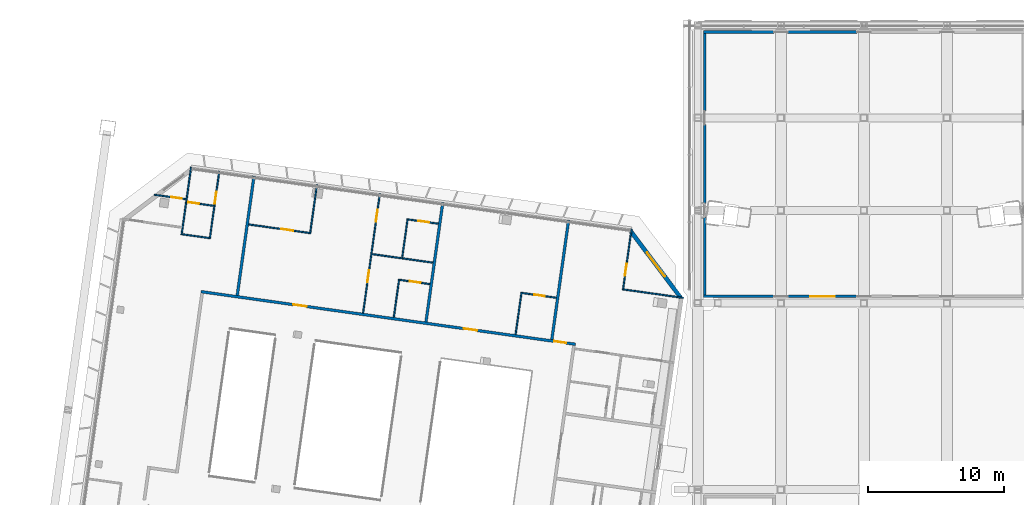
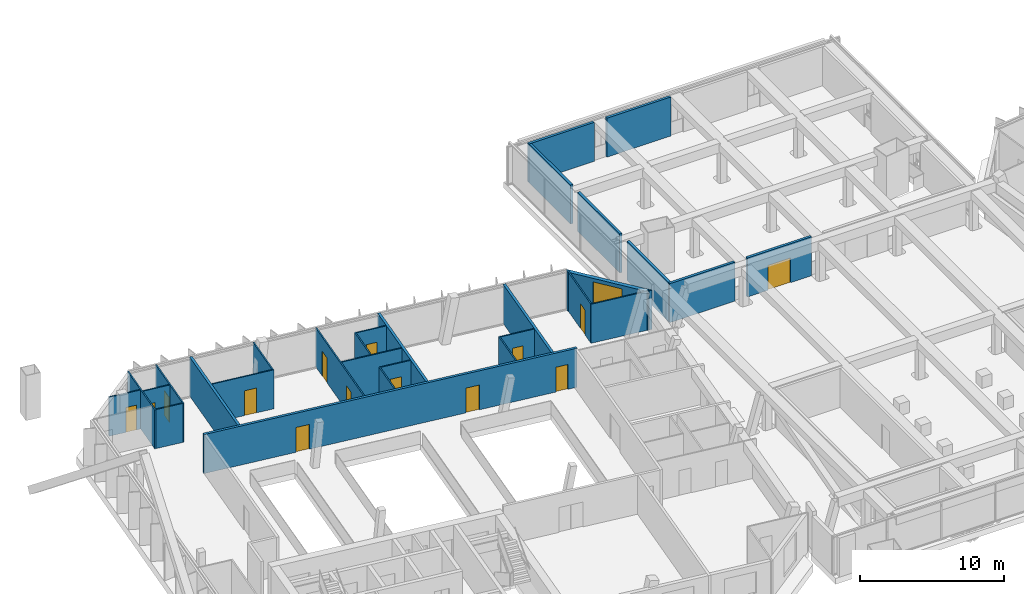
# One storey, part 17 of 28: 29 walls, 14 doors, 1 window, 15 openings.
"""IFC4 building model written with IfcOpenShell, lengths in metres."""

from ifc_helpers import new_model, si_unit, direction, frame, frame_2d, origin, place, context, subcontext, project, spatial, rectangle, extrude, material, layer, layer_set, type_object, element, fill, save


model = new_model("IFC4")

# Units and contexts
model_context = context("Model", 3, precision=1e-05, world=origin(), true_north=direction((0.0, 1.0)))
body_context = subcontext(model_context, "Body", "Model", "MODEL_VIEW")
ifc_project = project(units=[si_unit("LENGTHUNIT", "METRE"), si_unit("AREAUNIT", "SQUARE_METRE"), si_unit("VOLUMEUNIT", "CUBIC_METRE"), si_unit("PLANEANGLEUNIT", "RADIAN"), si_unit("MASSUNIT", "GRAM", prefix="KILO")], contexts=[model_context])

# Site, building, storey
site_placement = place(None, origin())
site = spatial("IfcSite", under=ifc_project, at=site_placement, CompositionType="ELEMENT")
building_placement = place(site_placement, origin())
building = spatial("IfcBuilding", under=site, at=building_placement, Name="Mirante Cascada Hotel Towers", CompositionType="ELEMENT")
storey_placement = place(building_placement, frame((0.0, 0.0, 262.2)))
storey = spatial("IfcBuildingStorey", under=building, at=storey_placement, Name="L63", CompositionType="ELEMENT", Elevation=262.2)

# Wall, openings, doors
ifc_material_1 = material(Name="Fire-rated plasterboard on metal studs")
ifc_layer_1 = layer(ifc_material_1, 0.2)
ifc_layer_set_1 = layer_set([ifc_layer_1], Name="Compartment wall 200 EI 120")
wall_type_1 = type_object("IfcWallType", Name="Compartment wall 200 EI 120", PredefinedType="PARTITIONING", material=ifc_layer_set_1)
wall_1_placement = place(storey_placement, frame((-21.2803, 6.8728, 0.0), z_axis=(0.0, 0.0, 1.0), x_axis=(-0.9902682, 0.139172, 0.0)))
wall_1 = element("IfcWall", 1, at=wall_1_placement, inside=storey, type_object=wall_type_1, Name="Wall 1-L63-14", PredefinedType="PARTITIONING", context=body_context, shape_type="SweptSolid", body=[
    extrude(rectangle(XDim=27.9, YDim=0.2, at=frame_2d((13.95, 0.0))), origin(), (0.0, 0.0, 1.0), 3.3),
])
opening_1_placement = place(wall_1_placement, frame((0.6878, 0.0, 0.0)))
opening_1 = element("IfcOpeningElement", 2, at=opening_1_placement, cuts=wall_1, Name="Opening D1-L63-08", PredefinedType="OPENING", context=body_context, shape_type="SweptSolid", body=[
    extrude(rectangle(XDim=0.9, YDim=2.1, at=frame_2d((0.45, 1.05))), frame((0.0, 0.1, 0.0), z_axis=(0.0, -1.0, 0.0), x_axis=(1.0, 0.0, 0.0)), (0.0, 0.0, 1.0), 0.2),
])
opening_2_placement = place(wall_1_placement, frame((7.3129, 0.0, 0.0)))
opening_2 = element("IfcOpeningElement", 3, at=opening_2_placement, cuts=wall_1, Name="Opening D1-L63-09", PredefinedType="OPENING", context=body_context, shape_type="SweptSolid", body=[
    extrude(rectangle(XDim=1.0, YDim=2.1, at=frame_2d((0.5, 1.05))), frame((0.0, 0.1, 0.0), z_axis=(0.0, -1.0, 0.0), x_axis=(1.0, 0.0, 0.0)), (0.0, 0.0, 1.0), 0.2),
])
opening_3_placement = place(wall_1_placement, frame((20.0252, 0.0, 0.0)))
opening_3 = element("IfcOpeningElement", 4, at=opening_3_placement, cuts=wall_1, Name="Opening D1-L63-10", PredefinedType="OPENING", context=body_context, shape_type="SweptSolid", body=[
    extrude(rectangle(XDim=1.0, YDim=2.1, at=frame_2d((0.5, 1.05))), frame((0.0, 0.1, 0.0), z_axis=(0.0, -1.0, 0.0), x_axis=(1.0, 0.0, 0.0)), (0.0, 0.0, 1.0), 0.2),
])
ifc_material_2 = material(Name="Fire-rated timber door leaf", Category="wood")
door_type_1 = type_object("IfcDoorType", Name="Entrance door DG1 1000x2100 EI 60", OperationType="SINGLE_SWING_LEFT", PredefinedType="DOOR", material=ifc_material_2)
door_1_placement = place(opening_2_placement, frame((1.0, 0.0, 0.0), z_axis=(0.0, 0.0, 1.0), x_axis=(-1.0, 0.0, 0.0)))
door_1 = element("IfcDoor", 5, at=door_1_placement, inside=storey, type_object=door_type_1, Name="Door D1-L63-09", OperationType="SINGLE_SWING_RIGHT", OverallHeight=2.1, OverallWidth=1.0, PredefinedType="DOOR", context=body_context, shape_type="SweptSolid", body=[
    extrude(rectangle(XDim=1.0, YDim=2.1, at=frame_2d((0.5, 1.05))), frame((0.0, 0.025, 0.0), z_axis=(0.0, -1.0, 0.0), x_axis=(1.0, 0.0, 0.0)), (0.0, 0.0, 1.0), 0.05),
])
fill(opening_2, door_1)
door_2_placement = place(opening_3_placement, frame((1.0, 0.0, 0.0), z_axis=(0.0, 0.0, 1.0), x_axis=(-1.0, 0.0, 0.0)))
door_2 = element("IfcDoor", 6, at=door_2_placement, inside=storey, type_object=door_type_1, Name="Door D1-L63-10", OperationType="SINGLE_SWING_RIGHT", OverallHeight=2.1, OverallWidth=1.0, PredefinedType="DOOR", context=body_context, shape_type="SweptSolid", body=[
    extrude(rectangle(XDim=1.0, YDim=2.1, at=frame_2d((0.5, 1.05))), frame((0.0, 0.025, 0.0), z_axis=(0.0, -1.0, 0.0), x_axis=(1.0, 0.0, 0.0)), (0.0, 0.0, 1.0), 0.05),
])
fill(opening_3, door_2)
ifc_material_3 = material(Name="Fire-rated timber door leaf", Category="wood")
door_type_2 = type_object("IfcDoorType", Name="Room door DG3 900x2100 EI 60", OperationType="SINGLE_SWING_LEFT", PredefinedType="DOOR", material=ifc_material_3)
door_3_placement = place(opening_1_placement, frame((0.9, 0.0, 0.0), z_axis=(0.0, 0.0, 1.0), x_axis=(-1.0, 0.0, 0.0)))
door_3 = element("IfcDoor", 7, at=door_3_placement, inside=storey, type_object=door_type_2, Name="Door D1-L63-08", OperationType="SINGLE_SWING_RIGHT", OverallHeight=2.1, OverallWidth=0.9, PredefinedType="DOOR", context=body_context, shape_type="SweptSolid", body=[
    extrude(rectangle(XDim=0.9, YDim=2.1, at=frame_2d((0.45, 1.05))), frame((0.0, 0.025, 0.0), z_axis=(0.0, -1.0, 0.0), x_axis=(1.0, 0.0, 0.0)), (0.0, 0.0, 1.0), 0.05),
])
fill(opening_1, door_3)

# Walls
for number, where, z_axis, x_axis, name in (
    (8, (-21.7859, 16.0323, 0.0), (0.0, 0.0, 1.0), (-0.1391794, -0.9902672, 0.0), "Wall 1-L63-35"),
    (9, (-31.0695, 17.337, 0.0), (0.0, 0.0, 1.0), (-0.1391794, -0.9902672, 0.0), "Wall 1-L63-37"),
    (10, (-46.2336, 10.4807, 0.0), (0.0, 0.0, 1.0), (0.1391684, 0.9902687, 0.0), "Wall 1-L63-42"),
):
    element("IfcWall", number, at=place(storey_placement, frame(where, z_axis=z_axis, x_axis=x_axis)), inside=storey, type_object=wall_type_1, Name=name, PredefinedType="PARTITIONING", context=body_context, shape_type="SweptSolid", body=[
        extrude(rectangle(XDim=8.9, YDim=0.2, at=frame_2d((4.45, 0.0))), origin(), (0.0, 0.0, 1.0), 3.3),
    ])
ifc_material_4 = material(Name="Masonry block", Category="masonry")
ifc_layer_2 = layer(ifc_material_4, 0.2)
ifc_layer_set_2 = layer_set([ifc_layer_2], Name="Deck room wall 200 block EI 120")
wall_type_2 = type_object("IfcWallType", Name="Deck room wall 200 block EI 120", PredefinedType="PARTITIONING", material=ifc_layer_set_2)
for number, where, z_axis, x_axis, name in (
    (11, (-11.85, 10.41, 0.0), (0.0, 0.0, 1.0), (1.0, 0.0, 0.0), "Sky park fire wall L63 W17"),
    (12, (-11.85, 29.91, 0.0), (0.0, 0.0, 1.0), (1.0, 0.0, 0.0), "Sky park fire wall L63 W18"),
):
    element("IfcWall", number, at=place(storey_placement, frame(where, z_axis=z_axis, x_axis=x_axis)), inside=storey, type_object=wall_type_2, Name=name, PredefinedType="PARTITIONING", context=body_context, shape_type="SweptSolid", body=[
        extrude(rectangle(XDim=5.22, YDim=0.2, at=frame_2d((2.61, 0.0))), origin(), (0.0, 0.0, 1.0), 3.3),
    ])

# Wall, opening, door
wall_2_placement = place(storey_placement, frame((-5.63, 10.41, 0.0), z_axis=(0.0, 0.0, 1.0), x_axis=(1.0, 0.0, 0.0)))
wall_2 = element("IfcWall", 13, at=wall_2_placement, inside=storey, type_object=wall_type_2, Name="Sky park fire wall L63 W19", PredefinedType="PARTITIONING", context=body_context, shape_type="SweptSolid", body=[
    extrude(rectangle(XDim=5.13, YDim=0.2, at=frame_2d((2.565, 0.0))), origin(), (0.0, 0.0, 1.0), 3.3),
])
opening_4_placement = place(wall_2_placement, frame((1.665, 0.0, 0.0)))
opening_4 = element("IfcOpeningElement", 14, at=opening_4_placement, cuts=wall_2, Name="Opening DD-63-05", PredefinedType="OPENING", context=body_context, shape_type="SweptSolid", body=[
    extrude(rectangle(XDim=1.8, YDim=2.1, at=frame_2d((0.9, 1.05))), frame((0.0, 0.1, 0.0), z_axis=(0.0, -1.0, 0.0), x_axis=(1.0, 0.0, 0.0)), (0.0, 0.0, 1.0), 0.2),
])
ifc_material_5 = material(Name="Hollow metal fire door leaf")
door_type_3 = type_object("IfcDoorType", Name="Double fire door 1800x2100 FD60 self-closing", OperationType="DOUBLE_DOOR_SINGLE_SWING", PredefinedType="DOOR", material=ifc_material_5)
door_4_placement = place(opening_4_placement, frame((1.8, 0.0, 0.0), z_axis=(0.0, 0.0, 1.0), x_axis=(-1.0, 0.0, 0.0)))
door_4 = element("IfcDoor", 15, at=door_4_placement, inside=storey, type_object=door_type_3, Name="Fire door sky park L63 d5", OperationType="DOUBLE_DOOR_SINGLE_SWING", OverallHeight=2.1, OverallWidth=1.8, PredefinedType="DOOR", context=body_context, shape_type="SweptSolid", body=[
    extrude(rectangle(XDim=0.895, YDim=2.1, at=frame_2d((0.4475, 1.05))), frame((0.0, 0.025, 0.0), z_axis=(0.0, -1.0, 0.0), x_axis=(1.0, 0.0, 0.0)), (0.0, 0.0, 1.0), 0.05),
    extrude(rectangle(XDim=0.895, YDim=2.1, at=frame_2d((1.3525, 1.05))), frame((0.0, 0.025, 0.0), z_axis=(0.0, -1.0, 0.0), x_axis=(1.0, 0.0, 0.0)), (0.0, 0.0, 1.0), 0.05),
])
fill(opening_4, door_4)

# Walls
wall_3_placement = place(storey_placement, frame((-5.63, 29.91, 0.0), z_axis=(0.0, 0.0, 1.0), x_axis=(1.0, 0.0, 0.0)))
element("IfcWall", 16, at=wall_3_placement, inside=storey, type_object=wall_type_2, Name="Sky park fire wall L63 W20", PredefinedType="PARTITIONING", context=body_context, shape_type="SweptSolid", body=[
    extrude(rectangle(XDim=5.13, YDim=0.2, at=frame_2d((2.565, 0.0))), origin(), (0.0, 0.0, 1.0), 3.3),
])
wall_4_placement = place(storey_placement, frame((-11.75, 10.51, 0.0), z_axis=(0.0, 0.0, 1.0), x_axis=(0.0, 1.0, 0.0)))
element("IfcWall", 17, at=wall_4_placement, inside=storey, type_object=wall_type_2, Name="Sky park fire wall L63 W25", PredefinedType="PARTITIONING", context=body_context, shape_type="SweptSolid", body=[
    extrude(rectangle(XDim=5.74, YDim=0.2, at=frame_2d((2.87, 0.0))), origin(), (0.0, 0.0, 1.0), 3.3),
])
wall_5_placement = place(storey_placement, frame((-11.75, 17.25, 0.0), z_axis=(0.0, 0.0, 1.0), x_axis=(0.0, 1.0, 0.0)))
element("IfcWall", 18, at=wall_5_placement, inside=storey, type_object=wall_type_2, Name="Sky park fire wall L63 W27", PredefinedType="PARTITIONING", context=body_context, shape_type="SweptSolid", body=[
    extrude(rectangle(XDim=5.83, YDim=0.2, at=frame_2d((2.915, 0.0))), origin(), (0.0, 0.0, 1.0), 3.3),
])
wall_6_placement = place(storey_placement, frame((-11.75, 24.08, 0.0), z_axis=(0.0, 0.0, 1.0), x_axis=(0.0, 1.0, 0.0)))
element("IfcWall", 19, at=wall_6_placement, inside=storey, type_object=wall_type_2, Name="Sky park fire wall L63 W29", PredefinedType="PARTITIONING", context=body_context, shape_type="SweptSolid", body=[
    extrude(rectangle(XDim=5.73, YDim=0.2, at=frame_2d((2.865, 0.0))), origin(), (0.0, 0.0, 1.0), 3.3),
])

# Wall, opening, door
ifc_material_6 = material(Name="Plasterboard on metal studs")
ifc_layer_3 = layer(ifc_material_6, 0.1)
ifc_layer_set_3 = layer_set([ifc_layer_3], Name="Partition 100")
wall_type_3 = type_object("IfcWallType", Name="Partition 100", PredefinedType="PARTITIONING", material=ifc_layer_set_3)
wall_7_placement = place(storey_placement, frame((-34.2456, 11.6235, 0.0), z_axis=(0.0, 0.0, 1.0), x_axis=(0.9902643, -0.1391997, 0.0)))
wall_7 = element("IfcWall", 20, at=wall_7_placement, inside=storey, type_object=wall_type_3, Name="Wall 1-L63-15", PredefinedType="PARTITIONING", context=body_context, shape_type="SweptSolid", body=[
    extrude(rectangle(XDim=2.25, YDim=0.1, at=frame_2d((1.125, 0.0))), origin(), (0.0, 0.0, 1.0), 3.3),
])
opening_5_placement = place(wall_7_placement, frame((0.75, 0.0, 0.0)))
opening_5 = element("IfcOpeningElement", 21, at=opening_5_placement, cuts=wall_7, Name="Opening D1-L63-11", PredefinedType="OPENING", context=body_context, shape_type="SweptSolid", body=[
    extrude(rectangle(XDim=0.8, YDim=2.1, at=frame_2d((0.4, 1.05))), frame((0.0, 0.05, 0.0), z_axis=(0.0, -1.0, 0.0), x_axis=(1.0, 0.0, 0.0)), (0.0, 0.0, 1.0), 0.1),
])
ifc_material_7 = material(Name="Timber door leaf", Category="wood")
door_type_4 = type_object("IfcDoorType", Name="Bathroom door DG4 800x2100", OperationType="SINGLE_SWING_LEFT", PredefinedType="DOOR", material=ifc_material_7)
door_5_placement = place(opening_5_placement, frame((0.8, 0.0, 0.0), z_axis=(0.0, 0.0, 1.0), x_axis=(-1.0, 0.0, 0.0)))
door_5 = element("IfcDoor", 22, at=door_5_placement, inside=storey, type_object=door_type_4, Name="Door D1-L63-11", OperationType="SINGLE_SWING_RIGHT", OverallHeight=2.1, OverallWidth=0.8, PredefinedType="DOOR", context=body_context, shape_type="SweptSolid", body=[
    extrude(rectangle(XDim=0.8, YDim=2.1, at=frame_2d((0.4, 1.05))), frame((0.0, 0.025, 0.0), z_axis=(0.0, -1.0, 0.0), x_axis=(1.0, 0.0, 0.0)), (0.0, 0.0, 1.0), 0.05),
])
fill(opening_5, door_5)

wall_8_placement = place(storey_placement, frame((-22.6922, 10.3027, 0.0), z_axis=(0.0, 0.0, 1.0), x_axis=(-0.9902677, 0.1391755, 0.0)))
wall_8 = element("IfcWall", 23, at=wall_8_placement, inside=storey, type_object=wall_type_3, Name="Wall 1-L63-16", PredefinedType="PARTITIONING", context=body_context, shape_type="SweptSolid", body=[
    extrude(rectangle(XDim=2.55, YDim=0.1, at=frame_2d((1.275, 0.0))), origin(), (0.0, 0.0, 1.0), 3.3),
])
opening_6_placement = place(wall_8_placement, frame((0.85, 0.0, 0.0)))
opening_6 = element("IfcOpeningElement", 24, at=opening_6_placement, cuts=wall_8, Name="Opening D1-L63-12", PredefinedType="OPENING", context=body_context, shape_type="SweptSolid", body=[
    extrude(rectangle(XDim=0.8, YDim=2.1, at=frame_2d((0.4, 1.05))), frame((0.0, 0.05, 0.0), z_axis=(0.0, -1.0, 0.0), x_axis=(1.0, 0.0, 0.0)), (0.0, 0.0, 1.0), 0.1),
])
door_6_placement = place(opening_6_placement, frame((0.8, 0.0, 0.0), z_axis=(0.0, 0.0, 1.0), x_axis=(-1.0, 0.0, 0.0)))
door_6 = element("IfcDoor", 25, at=door_6_placement, inside=storey, type_object=door_type_4, Name="Door D1-L63-12", OperationType="SINGLE_SWING_RIGHT", OverallHeight=2.1, OverallWidth=0.8, PredefinedType="DOOR", context=body_context, shape_type="SweptSolid", body=[
    extrude(rectangle(XDim=0.8, YDim=2.1, at=frame_2d((0.4, 1.05))), frame((0.0, 0.025, 0.0), z_axis=(0.0, -1.0, 0.0), x_axis=(1.0, 0.0, 0.0)), (0.0, 0.0, 1.0), 0.05),
])
fill(opening_6, door_6)

# Walls
wall_9_placement = place(storey_placement, frame((-50.2831, 14.9882, 0.0), z_axis=(0.0, 0.0, 1.0), x_axis=(0.990264, -0.139202, 0.0)))
element("IfcWall", 26, at=wall_9_placement, inside=storey, type_object=wall_type_3, Name="Wall 1-L63-17", PredefinedType="PARTITIONING", context=body_context, shape_type="SweptSolid", body=[
    extrude(rectangle(XDim=2.0, YDim=0.1, at=frame_2d((1.0, 0.0))), origin(), (0.0, 0.0, 1.0), 3.3),
])
wall_10_placement = place(storey_placement, frame((-13.3141, 10.2975, 0.0), z_axis=(0.0, 0.0, 1.0), x_axis=(-0.9902695, 0.1391626, 0.0)))
element("IfcWall", 27, at=wall_10_placement, inside=storey, type_object=wall_type_3, Name="Wall 1-L63-18", PredefinedType="PARTITIONING", context=body_context, shape_type="SweptSolid", body=[
    extrude(rectangle(XDim=4.5501, YDim=0.1, at=frame_2d((2.275, 0.0))), origin(), (0.0, 0.0, 1.0), 3.3),
])
wall_11_placement = place(storey_placement, frame((-36.2881, 13.5262, 0.0), z_axis=(0.0, 0.0, 1.0), x_axis=(0.9902678, -0.1391748, 0.0)))
element("IfcWall", 28, at=wall_11_placement, inside=storey, type_object=wall_type_3, Name="Wall 1-L63-19", PredefinedType="PARTITIONING", context=body_context, shape_type="SweptSolid", body=[
    extrude(rectangle(XDim=4.5375, YDim=0.1, at=frame_2d((2.2688, 0.0))), origin(), (0.0, 0.0, 1.0), 3.3),
])

# Wall, opening, door
wall_12_placement = place(storey_placement, frame((-45.397, 15.7152, 0.0), z_axis=(0.0, 0.0, 1.0), x_axis=(0.9902682, -0.1391719, 0.0)))
wall_12 = element("IfcWall", 29, at=wall_12_placement, inside=storey, type_object=wall_type_3, Name="Wall 1-L63-21", PredefinedType="PARTITIONING", context=body_context, shape_type="SweptSolid", body=[
    extrude(rectangle(XDim=4.6374, YDim=0.1, at=frame_2d((2.3187, 0.0))), origin(), (0.0, 0.0, 1.0), 3.3),
])
opening_7_placement = place(wall_12_placement, frame((2.4312, 0.0, 0.0)))
opening_7 = element("IfcOpeningElement", 30, at=opening_7_placement, cuts=wall_12, Name="Opening D1-L63-14", PredefinedType="OPENING", context=body_context, shape_type="SweptSolid", body=[
    extrude(rectangle(XDim=0.9, YDim=2.1, at=frame_2d((0.45, 1.05))), frame((0.0, 0.05, 0.0), z_axis=(0.0, -1.0, 0.0), x_axis=(1.0, 0.0, 0.0)), (0.0, 0.0, 1.0), 0.1),
])
ifc_material_8 = material(Name="Timber door leaf", Category="wood")
door_type_5 = type_object("IfcDoorType", Name="Room door DG3 900x2100", OperationType="SINGLE_SWING_LEFT", PredefinedType="DOOR", material=ifc_material_8)
door_7_placement = place(opening_7_placement, frame((0.9, 0.0, 0.0), z_axis=(0.0, 0.0, 1.0), x_axis=(-1.0, 0.0, 0.0)))
door_7 = element("IfcDoor", 31, at=door_7_placement, inside=storey, type_object=door_type_5, Name="Door D1-L63-14", OperationType="SINGLE_SWING_RIGHT", OverallHeight=2.1, OverallWidth=0.9, PredefinedType="DOOR", context=body_context, shape_type="SweptSolid", body=[
    extrude(rectangle(XDim=0.9, YDim=2.1, at=frame_2d((0.45, 1.05))), frame((0.0, 0.025, 0.0), z_axis=(0.0, -1.0, 0.0), x_axis=(1.0, 0.0, 0.0)), (0.0, 0.0, 1.0), 0.05),
])
fill(opening_7, door_7)

wall_13_placement = place(storey_placement, frame((-47.9685, 17.0865, 0.0), z_axis=(0.0, 0.0, 1.0), x_axis=(-0.9902719, 0.139146, 0.0)))
wall_13 = element("IfcWall", 32, at=wall_13_placement, inside=storey, type_object=wall_type_3, Name="Wall 1-L63-22", PredefinedType="PARTITIONING", context=body_context, shape_type="SweptSolid", body=[
    extrude(rectangle(XDim=2.0001, YDim=0.1, at=frame_2d((1.0001, 0.0))), origin(), (0.0, 0.0, 1.0), 3.3),
])
opening_8_placement = place(wall_13_placement, frame((1.1, 0.0, 0.0)))
opening_8 = element("IfcOpeningElement", 33, at=opening_8_placement, cuts=wall_13, Name="Opening D1-L63-15", PredefinedType="OPENING", context=body_context, shape_type="SweptSolid", body=[
    extrude(rectangle(XDim=0.8, YDim=2.1, at=frame_2d((0.4, 1.05))), frame((0.0, 0.05, 0.0), z_axis=(0.0, -1.0, 0.0), x_axis=(1.0, 0.0, 0.0)), (0.0, 0.0, 1.0), 0.1),
])
door_8_placement = place(opening_8_placement, frame((0.8, 0.0, 0.0), z_axis=(0.0, 0.0, 1.0), x_axis=(-1.0, 0.0, 0.0)))
door_8 = element("IfcDoor", 34, at=door_8_placement, inside=storey, type_object=door_type_4, Name="Door D1-L63-15", OperationType="SINGLE_SWING_RIGHT", OverallHeight=2.1, OverallWidth=0.8, PredefinedType="DOOR", context=body_context, shape_type="SweptSolid", body=[
    extrude(rectangle(XDim=0.8, YDim=2.1, at=frame_2d((0.4, 1.05))), frame((0.0, 0.025, 0.0), z_axis=(0.0, -1.0, 0.0), x_axis=(1.0, 0.0, 0.0)), (0.0, 0.0, 1.0), 0.05),
])
fill(opening_8, door_8)

wall_14_placement = place(storey_placement, frame((-52.3474, 17.9039, 0.0), z_axis=(0.0, 0.0, 1.0), x_axis=(0.9902653, -0.1391929, 0.0)))
wall_14 = element("IfcWall", 35, at=wall_14_placement, inside=storey, type_object=wall_type_3, Name="Wall 1-L63-23", PredefinedType="PARTITIONING", context=body_context, shape_type="SweptSolid", body=[
    extrude(rectangle(XDim=2.35, YDim=0.1, at=frame_2d((1.175, 0.0))), origin(), (0.0, 0.0, 1.0), 3.3),
])
opening_9_placement = place(wall_14_placement, frame((1.25, 0.0, 0.0)))
opening_9 = element("IfcOpeningElement", 36, at=opening_9_placement, cuts=wall_14, Name="Opening D1-L63-16", PredefinedType="OPENING", context=body_context, shape_type="SweptSolid", body=[
    extrude(rectangle(XDim=0.8, YDim=2.1, at=frame_2d((0.4, 1.05))), frame((0.0, 0.05, 0.0), z_axis=(0.0, -1.0, 0.0), x_axis=(1.0, 0.0, 0.0)), (0.0, 0.0, 1.0), 0.1),
])
door_9_placement = place(opening_9_placement, frame((0.8, 0.0, 0.0), z_axis=(0.0, 0.0, 1.0), x_axis=(-1.0, 0.0, 0.0)))
door_9 = element("IfcDoor", 37, at=door_9_placement, inside=storey, type_object=door_type_4, Name="Door D1-L63-16", OperationType="SINGLE_SWING_RIGHT", OverallHeight=2.1, OverallWidth=0.8, PredefinedType="DOOR", context=body_context, shape_type="SweptSolid", body=[
    extrude(rectangle(XDim=0.8, YDim=2.1, at=frame_2d((0.4, 1.05))), frame((0.0, 0.025, 0.0), z_axis=(0.0, -1.0, 0.0), x_axis=(1.0, 0.0, 0.0)), (0.0, 0.0, 1.0), 0.05),
])
fill(opening_9, door_9)

wall_15_placement = place(storey_placement, frame((-31.3912, 15.7665, 0.0), z_axis=(0.0, 0.0, 1.0), x_axis=(-0.9902643, 0.1391997, 0.0)))
wall_15 = element("IfcWall", 38, at=wall_15_placement, inside=storey, type_object=wall_type_3, Name="Wall 1-L63-24", PredefinedType="PARTITIONING", context=body_context, shape_type="SweptSolid", body=[
    extrude(rectangle(XDim=2.25, YDim=0.1, at=frame_2d((1.125, 0.0))), origin(), (0.0, 0.0, 1.0), 3.3),
])
opening_10_placement = place(wall_15_placement, frame((0.7, 0.0, 0.0)))
opening_10 = element("IfcOpeningElement", 39, at=opening_10_placement, cuts=wall_15, Name="Opening D1-L63-17", PredefinedType="OPENING", context=body_context, shape_type="SweptSolid", body=[
    extrude(rectangle(XDim=0.8, YDim=2.1, at=frame_2d((0.4, 1.05))), frame((0.0, 0.05, 0.0), z_axis=(0.0, -1.0, 0.0), x_axis=(1.0, 0.0, 0.0)), (0.0, 0.0, 1.0), 0.1),
])
door_10_placement = place(opening_10_placement, origin())
door_10 = element("IfcDoor", 40, at=door_10_placement, inside=storey, type_object=door_type_4, Name="Door D1-L63-17", OperationType="SINGLE_SWING_LEFT", OverallHeight=2.1, OverallWidth=0.8, PredefinedType="DOOR", context=body_context, shape_type="SweptSolid", body=[
    extrude(rectangle(XDim=0.8, YDim=2.1, at=frame_2d((0.4, 1.05))), frame((0.0, 0.025, 0.0), z_axis=(0.0, -1.0, 0.0), x_axis=(1.0, 0.0, 0.0)), (0.0, 0.0, 1.0), 0.05),
])
fill(opening_10, door_10)

wall_16_placement = place(storey_placement, frame((-17.7634, 10.9732, 0.0), z_axis=(0.0, 0.0, 1.0), x_axis=(0.1391684, 0.9902687, 0.0)))
wall_16 = element("IfcWall", 41, at=wall_16_placement, inside=storey, type_object=wall_type_3, Name="Wall 1-L63-32", PredefinedType="PARTITIONING", context=body_context, shape_type="SweptSolid", body=[
    extrude(rectangle(XDim=4.45, YDim=0.1, at=frame_2d((2.225, 0.0))), origin(), (0.0, 0.0, 1.0), 3.3),
])
opening_11_placement = place(wall_16_placement, frame((0.9667, 0.0, 0.0)))
opening_11 = element("IfcOpeningElement", 42, at=opening_11_placement, cuts=wall_16, Name="Opening D1-L63-22", PredefinedType="OPENING", context=body_context, shape_type="SweptSolid", body=[
    extrude(rectangle(XDim=0.9, YDim=2.1, at=frame_2d((0.45, 1.05))), frame((0.0, 0.05, 0.0), z_axis=(0.0, -1.0, 0.0), x_axis=(1.0, 0.0, 0.0)), (0.0, 0.0, 1.0), 0.1),
])
door_11_placement = place(opening_11_placement, origin())
door_11 = element("IfcDoor", 43, at=door_11_placement, inside=storey, type_object=door_type_5, Name="Door D1-L63-22", OperationType="SINGLE_SWING_LEFT", OverallHeight=2.1, OverallWidth=0.9, PredefinedType="DOOR", context=body_context, shape_type="SweptSolid", body=[
    extrude(rectangle(XDim=0.9, YDim=2.1, at=frame_2d((0.45, 1.05))), frame((0.0, 0.025, 0.0), z_axis=(0.0, -1.0, 0.0), x_axis=(1.0, 0.0, 0.0)), (0.0, 0.0, 1.0), 0.05),
])
fill(opening_11, door_11)

# Walls
wall_17_placement = place(storey_placement, frame((-25.6983, 7.5947, 0.0), z_axis=(0.0, 0.0, 1.0), x_axis=(0.1391765, 0.9902676, 0.0)))
element("IfcWall", 44, at=wall_17_placement, inside=storey, type_object=wall_type_3, Name="Wall 1-L63-36", PredefinedType="PARTITIONING", context=body_context, shape_type="SweptSolid", body=[
    extrude(rectangle(XDim=3.15, YDim=0.1, at=frame_2d((1.575, 0.0))), origin(), (0.0, 0.0, 1.0), 3.3),
])
wall_18_placement = place(storey_placement, frame((-34.6848, 8.8577, 0.0), z_axis=(0.0, 0.0, 1.0), x_axis=(0.1391613, 0.9902697, 0.0)))
element("IfcWall", 45, at=wall_18_placement, inside=storey, type_object=wall_type_3, Name="Wall 1-L63-38", PredefinedType="PARTITIONING", context=body_context, shape_type="SweptSolid", body=[
    extrude(rectangle(XDim=2.8499, YDim=0.1, at=frame_2d((1.425, 0.0))), origin(), (0.0, 0.0, 1.0), 3.3),
])
wall_19_placement = place(storey_placement, frame((-33.6619, 16.1361, 0.0), z_axis=(0.0, 0.0, 1.0), x_axis=(-0.1391761, -0.9902676, 0.0)))
element("IfcWall", 46, at=wall_19_placement, inside=storey, type_object=wall_type_3, Name="Wall 1-L63-39", PredefinedType="PARTITIONING", context=body_context, shape_type="SweptSolid", body=[
    extrude(rectangle(XDim=2.8999, YDim=0.1, at=frame_2d((1.45, 0.0))), origin(), (0.0, 0.0, 1.0), 3.3),
])

# Wall, openings, doors
wall_20_placement = place(storey_placement, frame((-36.9499, 9.176, 0.0), z_axis=(0.0, 0.0, 1.0), x_axis=(0.1391684, 0.9902687, 0.0)))
wall_20 = element("IfcWall", 47, at=wall_20_placement, inside=storey, type_object=wall_type_3, Name="Wall 1-L63-40", PredefinedType="PARTITIONING", context=body_context, shape_type="SweptSolid", body=[
    extrude(rectangle(XDim=8.9, YDim=0.1, at=frame_2d((4.45, 0.0))), origin(), (0.0, 0.0, 1.0), 3.3),
])
opening_12_placement = place(wall_20_placement, frame((2.3, 0.0, 0.0)))
opening_12 = element("IfcOpeningElement", 48, at=opening_12_placement, cuts=wall_20, Name="Opening D1-L63-24", PredefinedType="OPENING", context=body_context, shape_type="SweptSolid", body=[
    extrude(rectangle(XDim=0.9, YDim=2.1, at=frame_2d((0.45, 1.05))), frame((0.0, 0.05, 0.0), z_axis=(0.0, -1.0, 0.0), x_axis=(1.0, 0.0, 0.0)), (0.0, 0.0, 1.0), 0.1),
])
opening_13_placement = place(wall_20_placement, frame((6.8, 0.0, 0.0)))
opening_13 = element("IfcOpeningElement", 49, at=opening_13_placement, cuts=wall_20, Name="Opening D1-L63-25", PredefinedType="OPENING", context=body_context, shape_type="SweptSolid", body=[
    extrude(rectangle(XDim=0.9, YDim=2.1, at=frame_2d((0.45, 1.05))), frame((0.0, 0.05, 0.0), z_axis=(0.0, -1.0, 0.0), x_axis=(1.0, 0.0, 0.0)), (0.0, 0.0, 1.0), 0.1),
])
door_12_placement = place(opening_12_placement, origin())
door_12 = element("IfcDoor", 50, at=door_12_placement, inside=storey, type_object=door_type_5, Name="Door D1-L63-24", OperationType="SINGLE_SWING_LEFT", OverallHeight=2.1, OverallWidth=0.9, PredefinedType="DOOR", context=body_context, shape_type="SweptSolid", body=[
    extrude(rectangle(XDim=0.9, YDim=2.1, at=frame_2d((0.45, 1.05))), frame((0.0, 0.025, 0.0), z_axis=(0.0, -1.0, 0.0), x_axis=(1.0, 0.0, 0.0)), (0.0, 0.0, 1.0), 0.05),
])
fill(opening_12, door_12)
door_13_placement = place(opening_13_placement, origin())
door_13 = element("IfcDoor", 51, at=door_13_placement, inside=storey, type_object=door_type_5, Name="Door D1-L63-25", OperationType="SINGLE_SWING_LEFT", OverallHeight=2.1, OverallWidth=0.9, PredefinedType="DOOR", context=body_context, shape_type="SweptSolid", body=[
    extrude(rectangle(XDim=0.9, YDim=2.1, at=frame_2d((0.45, 1.05))), frame((0.0, 0.025, 0.0), z_axis=(0.0, -1.0, 0.0), x_axis=(1.0, 0.0, 0.0)), (0.0, 0.0, 1.0), 0.05),
])
fill(opening_13, door_13)

# Wall
wall_21_placement = place(storey_placement, frame((-40.3532, 18.6418, 0.0), z_axis=(0.0, 0.0, 1.0), x_axis=(-0.1391534, -0.9902708, 0.0)))
element("IfcWall", 52, at=wall_21_placement, inside=storey, type_object=wall_type_3, Name="Wall 1-L63-41", PredefinedType="PARTITIONING", context=body_context, shape_type="SweptSolid", body=[
    extrude(rectangle(XDim=3.55, YDim=0.1, at=frame_2d((1.775, 0.0))), origin(), (0.0, 0.0, 1.0), 3.3),
])

# Wall, opening, door
wall_22_placement = place(storey_placement, frame((-48.26, 14.6534, 0.0), z_axis=(0.0, 0.0, 1.0), x_axis=(0.1391699, 0.9902685, 0.0)))
wall_22 = element("IfcWall", 53, at=wall_22_placement, inside=storey, type_object=wall_type_3, Name="Wall 1-L63-44", PredefinedType="PARTITIONING", context=body_context, shape_type="SweptSolid", body=[
    extrude(rectangle(XDim=5.0499, YDim=0.1, at=frame_2d((2.525, 0.0))), origin(), (0.0, 0.0, 1.0), 3.3),
])
opening_14_placement = place(wall_22_placement, frame((2.6, 0.0, 0.0)))
opening_14 = element("IfcOpeningElement", 54, at=opening_14_placement, cuts=wall_22, Name="Opening D1-L63-27", PredefinedType="OPENING", context=body_context, shape_type="SweptSolid", body=[
    extrude(rectangle(XDim=0.9, YDim=2.1, at=frame_2d((0.45, 1.05))), frame((0.0, 0.05, 0.0), z_axis=(0.0, -1.0, 0.0), x_axis=(1.0, 0.0, 0.0)), (0.0, 0.0, 1.0), 0.1),
])
door_14_placement = place(opening_14_placement, origin())
door_14 = element("IfcDoor", 55, at=door_14_placement, inside=storey, type_object=door_type_5, Name="Door D1-L63-27", OperationType="SINGLE_SWING_LEFT", OverallHeight=2.1, OverallWidth=0.9, PredefinedType="DOOR", context=body_context, shape_type="SweptSolid", body=[
    extrude(rectangle(XDim=0.9, YDim=2.1, at=frame_2d((0.45, 1.05))), frame((0.0, 0.025, 0.0), z_axis=(0.0, -1.0, 0.0), x_axis=(1.0, 0.0, 0.0)), (0.0, 0.0, 1.0), 0.05),
])
fill(opening_14, door_14)

# Wall
wall_23_placement = place(storey_placement, frame((-50.3396, 14.9456, 0.0), z_axis=(0.0, 0.0, 1.0), x_axis=(0.1391866, 0.9902662, 0.0)))
element("IfcWall", 56, at=wall_23_placement, inside=storey, type_object=wall_type_3, Name="Wall 1-L63-46", PredefinedType="PARTITIONING", context=body_context, shape_type="SweptSolid", body=[
    extrude(rectangle(XDim=5.0501, YDim=0.1, at=frame_2d((2.525, 0.0))), origin(), (0.0, 0.0, 1.0), 3.3),
])

# Wall, opening, window
ifc_material_9 = material(Name="Precast concrete C40/50", Category="concrete")
ifc_layer_4 = layer(ifc_material_9, 0.3)
ifc_layer_set_4 = layer_set([ifc_layer_4], Name="Precast concrete C40/50 cladding wall 300")
wall_type_4 = type_object("IfcWallType", Name="Precast concrete C40/50 cladding wall 300", PredefinedType="STANDARD", material=ifc_layer_set_4)
wall_24_placement = place(storey_placement, frame((-17.1892, 15.1905, 0.0), z_axis=(0.0, 0.0, 1.0), x_axis=(0.6018141, -0.7986362, 0.0)))
wall_24 = element("IfcWall", 57, at=wall_24_placement, inside=storey, type_object=wall_type_4, Name="Corner cladding wall T1 L63 front inner", PredefinedType="STANDARD", context=body_context, shape_type="SweptSolid", body=[
    extrude(rectangle(XDim=6.1157, YDim=0.3, at=frame_2d((3.0578, 0.0))), origin(), (0.0, 0.0, 1.0), 3.3),
])
opening_15_placement = place(wall_24_placement, frame((1.9578, 0.0, 0.6)))
opening_15 = element("IfcOpeningElement", 58, at=opening_15_placement, cuts=wall_24, Name="Opening W1-63-06", PredefinedType="OPENING", context=body_context, shape_type="SweptSolid", body=[
    extrude(rectangle(XDim=2.2, YDim=2.4, at=frame_2d((1.1, 1.2))), frame((0.0, 0.15, 0.0), z_axis=(0.0, -1.0, 0.0), x_axis=(1.0, 0.0, 0.0)), (0.0, 0.0, 1.0), 0.3),
])
ifc_material_10 = material(Name="Aluminium frame with clear double glazing", Category="aluminium")
window_type = type_object("IfcWindowType", Name="Corner suite window 2200x2400", PartitioningType="DOUBLE_PANEL_VERTICAL", PredefinedType="WINDOW", material=ifc_material_10)
window_placement = place(opening_15_placement, origin())
window = element("IfcWindow", 59, at=window_placement, inside=storey, type_object=window_type, Name="Window W1-63-06", OverallHeight=2.4, OverallWidth=2.2, PartitioningType="SINGLE_PANEL", PredefinedType="WINDOW", context=body_context, shape_type="SweptSolid", body=[
    extrude(rectangle(XDim=2.2, YDim=2.4, at=frame_2d((1.1, 1.2))), frame((0.0, 0.03, 0.0), z_axis=(0.0, -1.0, 0.0), x_axis=(1.0, 0.0, 0.0)), (0.0, 0.0, 1.0), 0.06),
])
fill(opening_15, window)

save(model, "model.ifc")
